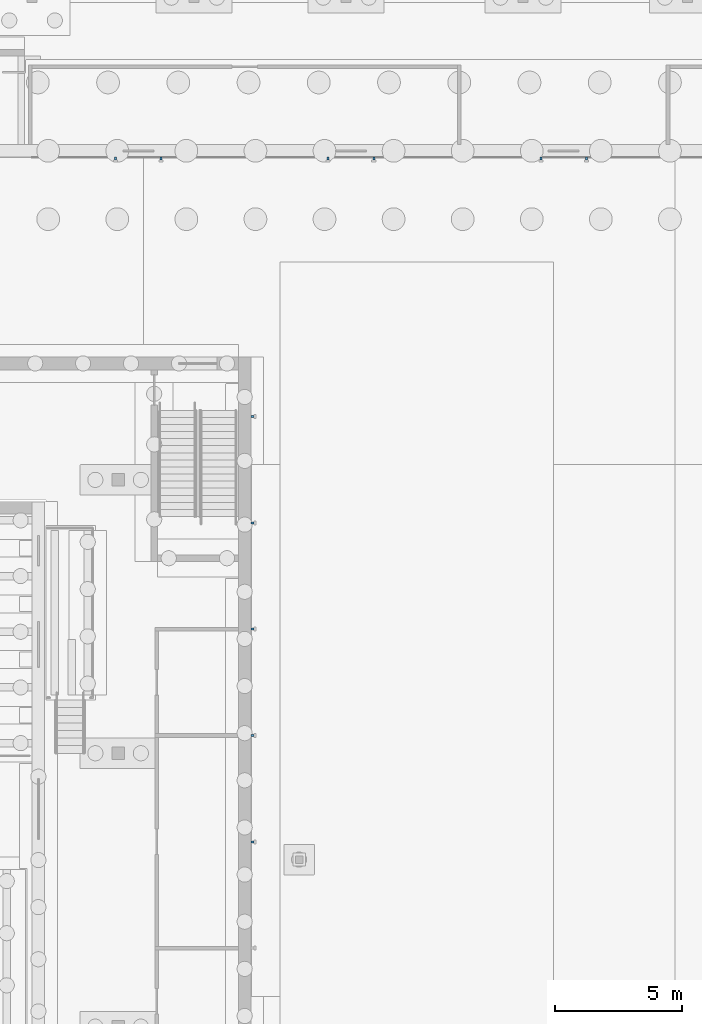
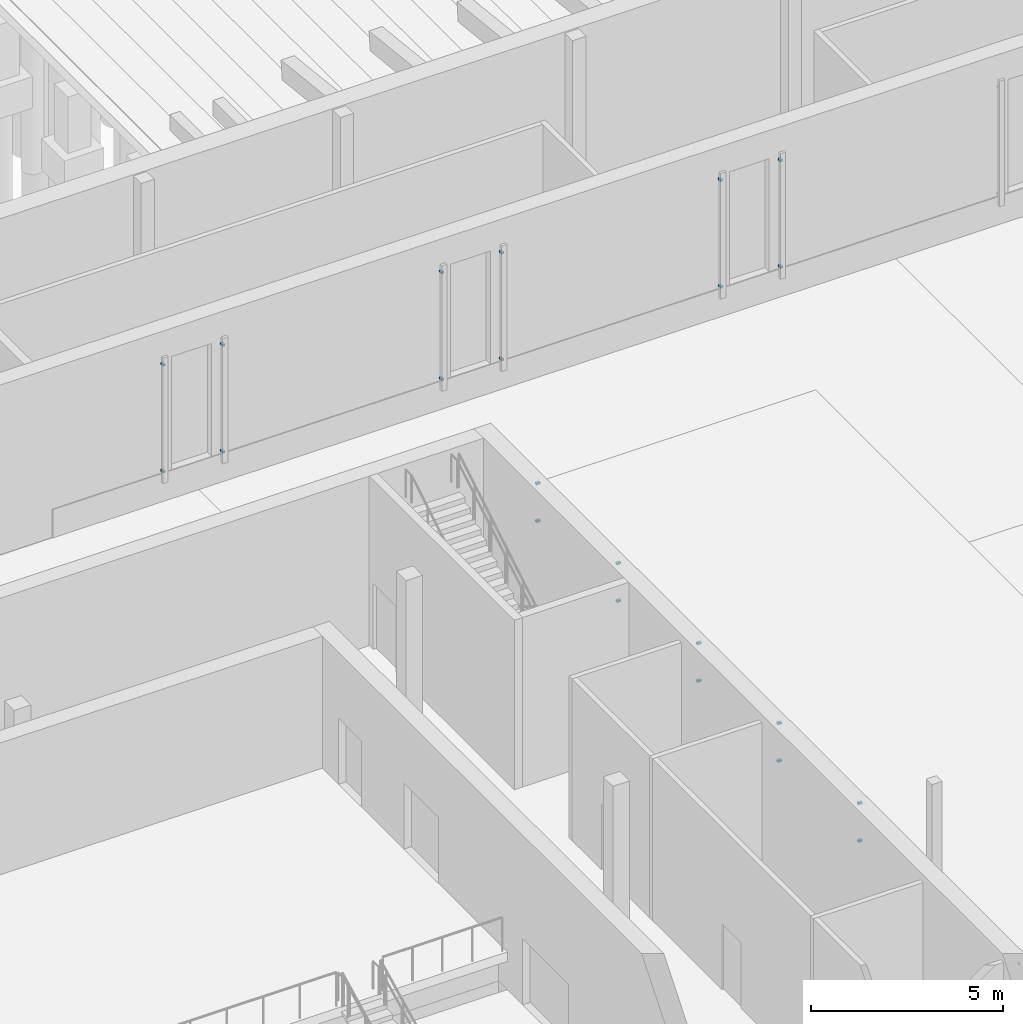
# One storey, part 82 of 127: 22 discrete accessories.
"""IFC4 building model written with IfcOpenShell, lengths in metres."""

from ifc_helpers import new_model, si_unit, direction, frame, origin, origin_2d, place, context, subcontext, project, spatial, rectangle, extrude, material, type_object, element, save


model = new_model("IFC4")

# Units and contexts
model_context = context("Model", 3, precision=1e-05, world=origin(), true_north=direction((0.0, 1.0)))
body_context = subcontext(model_context, "Body", "Model", "MODEL_VIEW")
ifc_project = project(units=[si_unit("LENGTHUNIT", "METRE"), si_unit("AREAUNIT", "SQUARE_METRE"), si_unit("VOLUMEUNIT", "CUBIC_METRE"), si_unit("PLANEANGLEUNIT", "RADIAN"), si_unit("MASSUNIT", "GRAM", prefix="KILO")], contexts=[model_context])

# Site, building, storey
site_placement = place(None, origin())
site = spatial("IfcSite", under=ifc_project, at=site_placement, CompositionType="ELEMENT")
building_placement = place(site_placement, origin())
building = spatial("IfcBuilding", under=site, at=building_placement, Name="Ljudholm Concert House", CompositionType="ELEMENT")
storey_placement = place(building_placement, origin())
storey = spatial("IfcBuildingStorey", under=building, at=storey_placement, Name="L00", CompositionType="ELEMENT", Elevation=0.0)

# Discrete accessories
ifc_material = material(Name="Stainless steel bracket", Category="steel")
discrete_accessory_type = type_object("IfcDiscreteAccessoryType", Name="BRACKET 120", PredefinedType="BRACKET", material=ifc_material)
for number, where, z_axis, x_axis, name in (
    (1, (40.89990234375, 54.090087890625, 0.969970703125), (0.0, 0.0, 1.0), (0.0, -1.0, 0.0), "Fin bracket"),
    (2, (40.89990234375, 54.090087890625, 4.369873046875), (0.0, 0.0, 1.0), (0.0, -1.0, 0.0), "Fin bracket"),
    (3, (42.699951171875, 54.090087890625, 0.969970703125), (0.0, 0.0, 1.0), (0.0, -1.0, 0.0), "Fin bracket"),
    (4, (42.699951171875, 54.090087890625, 4.369873046875), (0.0, 0.0, 1.0), (0.0, -1.0, 0.0), "Fin bracket"),
    (5, (49.300048828125, 54.090087890625, 0.969970703125), (0.0, 0.0, 1.0), (0.0, -1.0, 0.0), "Fin bracket"),
    (6, (49.300048828125, 54.090087890625, 4.369873046875), (0.0, 0.0, 1.0), (0.0, -1.0, 0.0), "Fin bracket"),
    (7, (51.10009765625, 54.090087890625, 0.969970703125), (0.0, 0.0, 1.0), (0.0, -1.0, 0.0), "Fin bracket"),
    (8, (51.10009765625, 54.090087890625, 4.369873046875), (0.0, 0.0, 1.0), (0.0, -1.0, 0.0), "Fin bracket"),
    (9, (57.699951171875, 54.090087890625, 0.969970703125), (0.0, 0.0, 1.0), (0.0, -1.0, 0.0), "Fin bracket"),
    (10, (57.699951171875, 54.090087890625, 4.369873046875), (0.0, 0.0, 1.0), (0.0, -1.0, 0.0), "Fin bracket"),
    (11, (59.5, 54.090087890625, 0.969970703125), (0.0, 0.0, 1.0), (0.0, -1.0, 0.0), "Fin bracket"),
    (12, (59.5, 54.090087890625, 4.369873046875), (0.0, 0.0, 1.0), (0.0, -1.0, 0.0), "Fin bracket"),
    (13, (46.31005859375, 27.10009765625, 3.669921875), (0.0, 0.0, 1.0), (1.0, 0.0, 0.0), "Fin bracket"),
    (14, (46.31005859375, 27.10009765625, 4.869873046875), (0.0, 0.0, 1.0), (1.0, 0.0, 0.0), "Fin bracket"),
    (15, (46.31005859375, 31.300048828125, 3.669921875), (0.0, 0.0, 1.0), (1.0, 0.0, 0.0), "Fin bracket"),
    (16, (46.31005859375, 31.300048828125, 4.869873046875), (0.0, 0.0, 1.0), (1.0, 0.0, 0.0), "Fin bracket"),
    (17, (46.31005859375, 35.5, 3.669921875), (0.0, 0.0, 1.0), (1.0, 0.0, 0.0), "Fin bracket"),
    (18, (46.31005859375, 35.5, 4.869873046875), (0.0, 0.0, 1.0), (1.0, 0.0, 0.0), "Fin bracket"),
    (19, (46.31005859375, 39.699951171875, 3.669921875), (0.0, 0.0, 1.0), (1.0, 0.0, 0.0), "Fin bracket"),
    (20, (46.31005859375, 39.699951171875, 4.869873046875), (0.0, 0.0, 1.0), (1.0, 0.0, 0.0), "Fin bracket"),
    (21, (46.31005859375, 43.89990234375, 3.669921875), (0.0, 0.0, 1.0), (1.0, 0.0, 0.0), "Fin bracket"),
    (22, (46.31005859375, 43.89990234375, 4.869873046875), (0.0, 0.0, 1.0), (1.0, 0.0, 0.0), "Fin bracket"),
):
    element("IfcDiscreteAccessory", number, at=place(storey_placement, frame(where, z_axis=z_axis, x_axis=x_axis)), inside=storey, type_object=discrete_accessory_type, Name=name, PredefinedType="BRACKET", context=body_context, shape_type="SweptSolid", body=[
        extrude(rectangle(XDim=0.1201171875, YDim=0.080078125, at=origin_2d()), origin(), (0.0, 0.0, 1.0), 0.06005859375),
    ])

save(model, "model.ifc")
